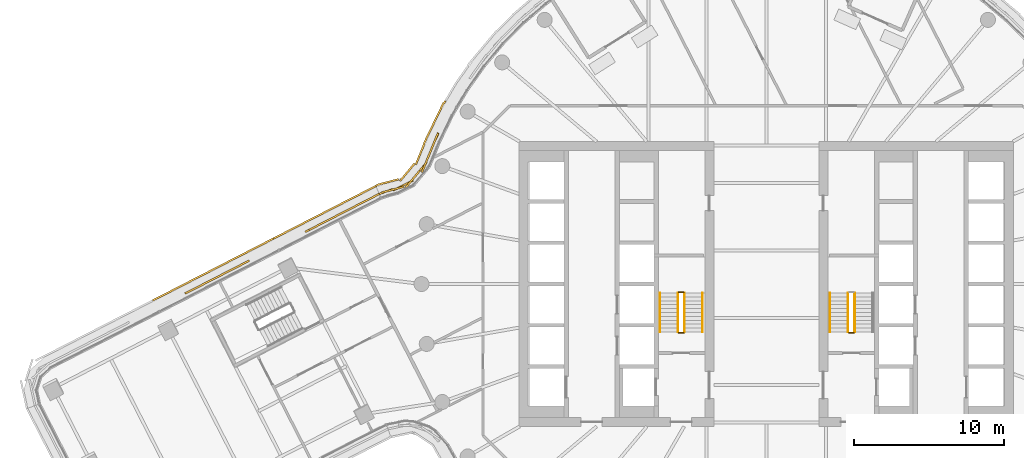
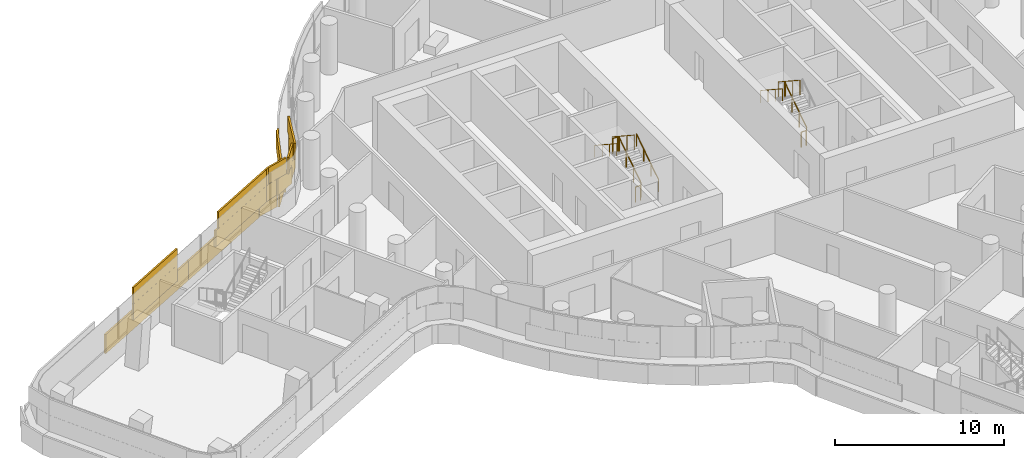
# One storey, part 31 of 37: 10 railings, 3 coverings.
"""IFC4 building model written with IfcOpenShell, lengths in metres."""

from ifc_helpers import new_model, si_unit, direction, frame, origin, origin_2d, place, context, subcontext, project, spatial, rectangle, circle, extrude, material, layer, layer_set, type_object, element, save


model = new_model("IFC4")

# Units and contexts
model_context = context("Model", 3, precision=1e-05, world=origin(), true_north=direction((0.0, 1.0)))
body_context = subcontext(model_context, "Body", "Model", "MODEL_VIEW")
ifc_project = project(units=[si_unit("LENGTHUNIT", "METRE"), si_unit("AREAUNIT", "SQUARE_METRE"), si_unit("VOLUMEUNIT", "CUBIC_METRE"), si_unit("PLANEANGLEUNIT", "RADIAN"), si_unit("MASSUNIT", "GRAM", prefix="KILO")], contexts=[model_context])

# Site, building, storey
site_placement = place(None, origin())
site = spatial("IfcSite", under=ifc_project, at=site_placement, CompositionType="ELEMENT")
building_placement = place(site_placement, origin())
building = spatial("IfcBuilding", under=site, at=building_placement, Name="Tamarind Cross Interchange Tower", CompositionType="ELEMENT")
storey_placement = place(building_placement, frame((0.0, 0.0, 133.0)))
storey = spatial("IfcBuildingStorey", under=building, at=storey_placement, Name="L32", CompositionType="ELEMENT", Elevation=133.0)

# Railings
ifc_material_1 = material(Name="Stair guard")
railing_type_1 = type_object("IfcRailingType", Name="Stair guard", PredefinedType="GUARDRAIL", material=ifc_material_1)
railing_1_placement = place(storey_placement, frame((-5.449951171875, -3.199951171875, 0.17041015625)))
element("IfcRailing", 1, at=railing_1_placement, inside=storey, type_object=railing_type_1, Name="L32 ST1 stair guard 1", PredefinedType="GUARDRAIL", context=body_context, shape_type="SweptSolid", body=[
    extrude(circle(Radius=0.02392578125, at=origin_2d()), frame((0.0, 0.0, 1.076171875), z_axis=(0.0, 0.836278606002, 0.548304744775), x_axis=(-1.0, 0.0, 0.0)), (0.0, 0.0, 1.0), 3.10888671875),
    extrude(circle(Radius=0.02099609375, at=origin_2d()), origin(), (0.0, 0.0, 1.0), 1.052001953125),
    extrude(circle(Radius=0.02099609375, at=origin_2d()), frame((0.0, 0.86669921875, 0.568115234375)), (0.0, 0.0, 1.0), 1.052001953125),
    extrude(circle(Radius=0.02099609375, at=origin_2d()), frame((0.0, 1.733154296875, 1.136474609375)), (0.0, 0.0, 1.0), 1.052001953125),
    extrude(circle(Radius=0.02099609375, at=origin_2d()), frame((0.0, 2.599853515625, 1.70458984375)), (0.0, 0.0, 1.0), 1.052001953125),
])
railing_2_placement = place(storey_placement, frame((-5.5, -0.550048828125, 1.875)))
element("IfcRailing", 2, at=railing_2_placement, inside=storey, type_object=railing_type_1, Name="L32 ST1 stair guard 2", PredefinedType="GUARDRAIL", context=body_context, shape_type="SweptSolid", body=[
    extrude(circle(Radius=0.02392578125, at=origin_2d()), frame((0.0, 0.0, 1.076171875), z_axis=(-1.0, 0.0, 0.0), x_axis=(0.0, -1.0, 0.0)), (0.0, 0.0, 1.0), 0.35009765625),
    extrude(circle(Radius=0.02099609375, at=origin_2d()), origin(), (0.0, 0.0, 1.0), 1.052001953125),
    extrude(circle(Radius=0.02099609375, at=origin_2d()), frame((-0.35009765625, 0.0, 0.0)), (0.0, 0.0, 1.0), 1.052001953125),
])
railing_3_placement = place(storey_placement, frame((-5.89990234375, -0.60009765625, 2.04541015625)))
element("IfcRailing", 3, at=railing_3_placement, inside=storey, type_object=railing_type_1, Name="L32 ST1 stair guard 3", PredefinedType="GUARDRAIL", context=body_context, shape_type="SweptSolid", body=[
    extrude(circle(Radius=0.02392578125, at=origin_2d()), frame((0.0, 0.0, 1.076171875), z_axis=(0.0, -0.836278606002, 0.548304744775), x_axis=(1.0, 0.0, 0.0)), (0.0, 0.0, 1.0), 3.10888671875),
    extrude(circle(Radius=0.02099609375, at=origin_2d()), origin(), (0.0, 0.0, 1.0), 1.052001953125),
    extrude(circle(Radius=0.02099609375, at=origin_2d()), frame((0.0, -0.86669921875, 0.568115234375)), (0.0, 0.0, 1.0), 1.052001953125),
    extrude(circle(Radius=0.02099609375, at=origin_2d()), frame((0.0, -1.733154296875, 1.136474609375)), (0.0, 0.0, 1.0), 1.052001953125),
    extrude(circle(Radius=0.02099609375, at=origin_2d()), frame((0.0, -2.599853515625, 1.70458984375)), (0.0, 0.0, 1.0), 1.052001953125),
])
railing_4_placement = place(storey_placement, frame((-5.5, -3.25, 0.0)))
element("IfcRailing", 4, at=railing_4_placement, inside=storey, type_object=railing_type_1, Name="L32 ST1 stair guard 4", PredefinedType="GUARDRAIL", context=body_context, shape_type="SweptSolid", body=[
    extrude(circle(Radius=0.02392578125, at=origin_2d()), frame((0.0, 0.0, 1.076171875), z_axis=(-1.0, 0.0, 0.0), x_axis=(0.0, -1.0, 0.0)), (0.0, 0.0, 1.0), 0.35009765625),
    extrude(circle(Radius=0.02099609375, at=origin_2d()), origin(), (0.0, 0.0, 1.0), 1.052001953125),
    extrude(circle(Radius=0.02099609375, at=origin_2d()), frame((-0.35009765625, 0.0, 0.0)), (0.0, 0.0, 1.0), 1.052001953125),
])
railing_5_placement = place(storey_placement, frame((5.89990234375, -3.199951171875, 0.17041015625)))
element("IfcRailing", 5, at=railing_5_placement, inside=storey, type_object=railing_type_1, Name="L32 ST2 stair guard 1", PredefinedType="GUARDRAIL", context=body_context, shape_type="SweptSolid", body=[
    extrude(circle(Radius=0.02392578125, at=origin_2d()), frame((0.0, 0.0, 1.076171875), z_axis=(0.0, 0.836278606002, 0.548304744775), x_axis=(-1.0, 0.0, 0.0)), (0.0, 0.0, 1.0), 3.10888671875),
    extrude(circle(Radius=0.02099609375, at=origin_2d()), origin(), (0.0, 0.0, 1.0), 1.052001953125),
    extrude(circle(Radius=0.02099609375, at=origin_2d()), frame((0.0, 0.86669921875, 0.568115234375)), (0.0, 0.0, 1.0), 1.052001953125),
    extrude(circle(Radius=0.02099609375, at=origin_2d()), frame((0.0, 1.733154296875, 1.136474609375)), (0.0, 0.0, 1.0), 1.052001953125),
    extrude(circle(Radius=0.02099609375, at=origin_2d()), frame((0.0, 2.599853515625, 1.70458984375)), (0.0, 0.0, 1.0), 1.052001953125),
])
railing_6_placement = place(storey_placement, frame((5.449951171875, -0.60009765625, 2.04541015625)))
element("IfcRailing", 6, at=railing_6_placement, inside=storey, type_object=railing_type_1, Name="L32 ST2 stair guard 3", PredefinedType="GUARDRAIL", context=body_context, shape_type="SweptSolid", body=[
    extrude(circle(Radius=0.02392578125, at=origin_2d()), frame((0.0, 0.0, 1.076171875), z_axis=(0.0, -0.836278606002, 0.548304744775), x_axis=(1.0, 0.0, 0.0)), (0.0, 0.0, 1.0), 3.10888671875),
    extrude(circle(Radius=0.02099609375, at=origin_2d()), origin(), (0.0, 0.0, 1.0), 1.052001953125),
    extrude(circle(Radius=0.02099609375, at=origin_2d()), frame((0.0, -0.86669921875, 0.568115234375)), (0.0, 0.0, 1.0), 1.052001953125),
    extrude(circle(Radius=0.02099609375, at=origin_2d()), frame((0.0, -1.733154296875, 1.136474609375)), (0.0, 0.0, 1.0), 1.052001953125),
    extrude(circle(Radius=0.02099609375, at=origin_2d()), frame((0.0, -2.599853515625, 1.70458984375)), (0.0, 0.0, 1.0), 1.052001953125),
])
railing_7_placement = place(storey_placement, frame((5.85009765625, -3.25, 0.0)))
element("IfcRailing", 7, at=railing_7_placement, inside=storey, type_object=railing_type_1, Name="L32 ST2 stair guard 4", PredefinedType="GUARDRAIL", context=body_context, shape_type="SweptSolid", body=[
    extrude(circle(Radius=0.02392578125, at=origin_2d()), frame((0.0, 0.0, 1.076171875), z_axis=(-1.0, 0.0, 0.0), x_axis=(0.0, -1.0, 0.0)), (0.0, 0.0, 1.0), 0.35009765625),
    extrude(circle(Radius=0.02099609375, at=origin_2d()), origin(), (0.0, 0.0, 1.0), 1.052001953125),
    extrude(circle(Radius=0.02099609375, at=origin_2d()), frame((-0.35009765625, 0.0, 0.0)), (0.0, 0.0, 1.0), 1.052001953125),
])
ifc_material_2 = material(Name="Stair handrail")
railing_type_2 = type_object("IfcRailingType", Name="Stair handrail", PredefinedType="HANDRAIL", material=ifc_material_2)
railing_8_placement = place(storey_placement, frame((-4.25, -3.199951171875, 0.17041015625)))
element("IfcRailing", 8, at=railing_8_placement, inside=storey, type_object=railing_type_2, Name="L32 ST1 stair handrail 1", PredefinedType="HANDRAIL", context=body_context, shape_type="SweptSolid", body=[
    extrude(circle(Radius=0.02392578125, at=origin_2d()), frame((0.0, 0.0, 0.8759765625), z_axis=(0.0, 0.836278606002, 0.548304744775), x_axis=(-1.0, 0.0, 0.0)), (0.0, 0.0, 1.0), 3.10888671875),
    extrude(circle(Radius=0.02099609375, at=origin_2d()), origin(), (0.0, 0.0, 1.0), 0.851806640625),
    extrude(circle(Radius=0.02099609375, at=origin_2d()), frame((0.0, 0.86669921875, 0.568115234375)), (0.0, 0.0, 1.0), 0.851806640625),
    extrude(circle(Radius=0.02099609375, at=origin_2d()), frame((0.0, 1.733154296875, 1.136474609375)), (0.0, 0.0, 1.0), 0.851806640625),
    extrude(circle(Radius=0.02099609375, at=origin_2d()), frame((0.0, 2.599853515625, 1.70458984375)), (0.0, 0.0, 1.0), 0.851806640625),
])
for number, where, name in (
    (9, (-7.10009765625, -0.60009765625, 2.04541015625), "L32 ST1 stair handrail 2"),
    (10, (4.25, -0.60009765625, 2.04541015625), "L32 ST2 stair handrail 2"),
):
    element("IfcRailing", number, at=place(storey_placement, frame(where)), inside=storey, type_object=railing_type_2, Name=name, PredefinedType="HANDRAIL", context=body_context, shape_type="SweptSolid", body=[
        extrude(circle(Radius=0.02392578125, at=origin_2d()), frame((0.0, 0.0, 0.8759765625), z_axis=(0.0, -0.836278606002, 0.548304744775), x_axis=(1.0, 0.0, 0.0)), (0.0, 0.0, 1.0), 3.10888671875),
        extrude(circle(Radius=0.02099609375, at=origin_2d()), origin(), (0.0, 0.0, 1.0), 0.851806640625),
        extrude(circle(Radius=0.02099609375, at=origin_2d()), frame((0.0, -0.86669921875, 0.568115234375)), (0.0, 0.0, 1.0), 0.851806640625),
        extrude(circle(Radius=0.02099609375, at=origin_2d()), frame((0.0, -1.733154296875, 1.136474609375)), (0.0, 0.0, 1.0), 0.851806640625),
        extrude(circle(Radius=0.02099609375, at=origin_2d()), frame((0.0, -2.599853515625, 1.70458984375)), (0.0, 0.0, 1.0), 0.851806640625),
    ])

# Coverings
ifc_material_3 = material(Name="Terracotta", Category="masonry")
ifc_layer = layer(ifc_material_3, 0.1201171875)
ifc_layer_set = layer_set([ifc_layer], Name="Terracotta")
covering_type = type_object("IfcCoveringType", Name="Terracotta baguette screen unit", PredefinedType="MOLDING", material=ifc_layer_set)
covering_1_placement = place(storey_placement, origin())
element("IfcCovering", 11, at=covering_1_placement, inside=storey, type_object=covering_type, Name="SCR-L32-14-01", PredefinedType="MOLDING", context=body_context, shape_type="SweptSolid", body=[
    extrude(rectangle(XDim=0.59130859375, YDim=0.1201171875, at=origin_2d()), frame((-21.991943359375, 9.80126953125, 1.404052734375), z_axis=(0.0, 0.0, 1.0), x_axis=(-0.435326231914, -0.900272776334, 0.0)), (0.0, 0.0, 1.0), 1.1669921875),
    extrude(rectangle(XDim=1.52001953125, YDim=0.1201171875, at=origin_2d()), frame((-22.40087890625, 8.844482421875, 1.404052734375), z_axis=(0.0, 0.0, 1.0), x_axis=(-0.379836977409, -0.92505344202, 0.0)), (0.0, 0.0, 1.0), 1.1669921875),
    extrude(rectangle(XDim=1.52001953125, YDim=0.1201171875, at=origin_2d()), frame((-23.12451171875, 7.5498046875, 1.404052734375), z_axis=(0.0, 0.0, 1.0), x_axis=(-0.639426054821, -0.768852599928, 0.0)), (0.0, 0.0, 1.0), 1.1669921875),
    extrude(rectangle(XDim=1.52001953125, YDim=0.1201171875, at=origin_2d()), frame((-24.228271484375, 6.579833984375, 1.404052734375), z_axis=(0.0, 0.0, 1.0), x_axis=(-0.896527777949, -0.442987520553, 0.0)), (0.0, 0.0, 1.0), 1.1669921875),
    extrude(rectangle(XDim=0.953857421875, YDim=0.1201171875, at=origin_2d()), frame((-25.373046875, 6.1689453125, 1.404052734375), z_axis=(0.0, 0.0, 1.0), x_axis=(-0.941677463588, -0.336516796863, 0.0)), (0.0, 0.0, 1.0), 1.1669921875),
    extrude(rectangle(XDim=1.34130859375, YDim=0.1201171875, at=origin_2d()), frame((-22.14794921875, 9.46044921875, 2.5791015625), z_axis=(0.0, 0.0, 1.0), x_axis=(-0.379836977409, -0.92505344202, 0.0)), (0.0, 0.0, 1.0), 1.1669921875),
    extrude(rectangle(XDim=1.52001953125, YDim=0.1201171875, at=origin_2d()), frame((-22.685546875, 8.15087890625, 2.5791015625), z_axis=(0.0, 0.0, 1.0), x_axis=(-0.379836977409, -0.92505344202, 0.0)), (0.0, 0.0, 1.0), 1.1669921875),
    extrude(rectangle(XDim=1.52001953125, YDim=0.1201171875, at=origin_2d()), frame((-23.604248046875, 6.97314453125, 2.5791015625), z_axis=(0.0, 0.0, 1.0), x_axis=(-0.639426054821, -0.768852599928, 0.0)), (0.0, 0.0, 1.0), 1.1669921875),
    extrude(rectangle(XDim=1.52001953125, YDim=0.1201171875, at=origin_2d()), frame((-24.918212890625, 6.294189453125, 2.5791015625), z_axis=(0.0, 0.0, 1.0), x_axis=(-0.966981017495, -0.254848409458, 0.0)), (0.0, 0.0, 1.0), 1.1669921875),
    extrude(rectangle(XDim=0.203857421875, YDim=0.1201171875, at=origin_2d()), frame((-25.72607421875, 6.042724609375, 2.5791015625), z_axis=(0.0, 0.0, 1.0), x_axis=(-0.941677463588, -0.336516796863, 0.0)), (0.0, 0.0, 1.0), 1.1669921875),
    extrude(rectangle(XDim=0.188720703125, YDim=0.1201171875, at=origin_2d()), frame((-21.45068359375, 12.131591796875, 0.00390625), z_axis=(0.0, 0.0, 1.0), x_axis=(-0.508183308752, -0.861248933065, 0.0)), (0.0, 0.0, 1.0), 1.39208984375),
    extrude(rectangle(XDim=1.52001953125, YDim=0.1201171875, at=origin_2d()), frame((-21.855224609375, 11.40234375, 0.00390625), z_axis=(0.0, 0.0, 1.0), x_axis=(-0.435326231914, -0.900272776334, 0.0)), (0.0, 0.0, 1.0), 1.39208984375),
    extrude(rectangle(XDim=1.52001953125, YDim=0.1201171875, at=origin_2d()), frame((-22.50830078125, 10.052001953125, 0.00390625), z_axis=(0.0, 0.0, 1.0), x_axis=(-0.435326231914, -0.900272776334, 0.0)), (0.0, 0.0, 1.0), 1.39208984375),
    extrude(rectangle(XDim=1.52001953125, YDim=0.1201171875, at=origin_2d()), frame((-23.092529296875, 8.6708984375, 0.00390625), z_axis=(0.0, 0.0, 1.0), x_axis=(-0.379836977409, -0.92505344202, 0.0)), (0.0, 0.0, 1.0), 1.39208984375),
    extrude(rectangle(XDim=1.52001953125, YDim=0.1201171875, at=origin_2d()), frame((-23.94921875, 7.4560546875, 0.00390625), z_axis=(0.0, 0.0, 1.0), x_axis=(-0.639426054821, -0.768852599928, 0.0)), (0.0, 0.0, 1.0), 1.39208984375),
    extrude(rectangle(XDim=1.52001953125, YDim=0.1201171875, at=origin_2d()), frame((-25.266357421875, 6.7958984375, 0.00390625), z_axis=(0.0, 0.0, 1.0), x_axis=(-0.966981017495, -0.254848409458, 0.0)), (0.0, 0.0, 1.0), 1.39208984375),
    extrude(rectangle(XDim=0.081787109375, YDim=0.1201171875, at=origin_2d()), frame((-26.007568359375, 6.5517578125, 0.00390625), z_axis=(0.0, 0.0, 1.0), x_axis=(-0.941677463588, -0.336516796863, 0.0)), (0.0, 0.0, 1.0), 1.39208984375),
])
covering_2_placement = place(storey_placement, origin())
element("IfcCovering", 12, at=covering_2_placement, inside=storey, type_object=covering_type, Name="SCR-L32-15-00", PredefinedType="MOLDING", context=body_context, shape_type="SweptSolid", body=[
    extrude(rectangle(XDim=1.510009765625, YDim=0.1201171875, at=origin_2d()), frame((-26.484619140625, 5.667724609375, 1.404052734375), z_axis=(0.0, 0.0, 1.0), x_axis=(-0.889697026233, -0.456551422638, 0.0)), (0.0, 0.0, 1.0), 1.1669921875),
    extrude(rectangle(XDim=1.52001953125, YDim=0.1201171875, at=origin_2d()), frame((-27.819091796875, 4.98291015625, 1.404052734375), z_axis=(0.0, 0.0, 1.0), x_axis=(-0.889697026233, -0.456551422638, 0.0)), (0.0, 0.0, 1.0), 1.1669921875),
    extrude(rectangle(XDim=1.52001953125, YDim=0.1201171875, at=origin_2d()), frame((-29.15380859375, 4.298095703125, 1.404052734375), z_axis=(0.0, 0.0, 1.0), x_axis=(-0.889697026233, -0.456551422638, 0.0)), (0.0, 0.0, 1.0), 1.1669921875),
    extrude(rectangle(XDim=1.05712890625, YDim=0.1201171875, at=origin_2d()), frame((-30.286865234375, 3.716552734375, 1.404052734375), z_axis=(0.0, 0.0, 1.0), x_axis=(-0.889697026233, -0.456551422638, 0.0)), (0.0, 0.0, 1.0), 1.1669921875),
    extrude(rectangle(XDim=0.760009765625, YDim=0.1201171875, at=origin_2d()), frame((-26.15087890625, 5.8388671875, 2.5791015625), z_axis=(0.0, 0.0, 1.0), x_axis=(-0.889697026233, -0.456551422638, 0.0)), (0.0, 0.0, 1.0), 1.1669921875),
    extrude(rectangle(XDim=1.52001953125, YDim=0.1201171875, at=origin_2d()), frame((-27.15185546875, 5.3251953125, 2.5791015625), z_axis=(0.0, 0.0, 1.0), x_axis=(-0.889697026233, -0.456551422638, 0.0)), (0.0, 0.0, 1.0), 1.1669921875),
    extrude(rectangle(XDim=1.52001953125, YDim=0.1201171875, at=origin_2d()), frame((-28.486328125, 4.640380859375, 2.5791015625), z_axis=(0.0, 0.0, 1.0), x_axis=(-0.889697026233, -0.456551422638, 0.0)), (0.0, 0.0, 1.0), 1.1669921875),
    extrude(rectangle(XDim=1.52001953125, YDim=0.1201171875, at=origin_2d()), frame((-29.821044921875, 3.95556640625, 2.5791015625), z_axis=(0.0, 0.0, 1.0), x_axis=(-0.889697026233, -0.456551422638, 0.0)), (0.0, 0.0, 1.0), 1.1669921875),
    extrude(rectangle(XDim=1.510009765625, YDim=0.1201171875, at=origin_2d()), frame((-26.7177734375, 6.193359375, 0.00390625), z_axis=(0.0, 0.0, 1.0), x_axis=(-0.889697026233, -0.456551422638, 0.0)), (0.0, 0.0, 1.0), 1.39208984375),
    extrude(rectangle(XDim=1.52001953125, YDim=0.1201171875, at=origin_2d()), frame((-28.0478515625, 5.5107421875, 0.00390625), z_axis=(0.0, 0.0, 1.0), x_axis=(-0.889697026233, -0.456551422638, 0.0)), (0.0, 0.0, 1.0), 1.39208984375),
    extrude(rectangle(XDim=1.52001953125, YDim=0.1201171875, at=origin_2d()), frame((-29.38232421875, 4.825927734375, 0.00390625), z_axis=(0.0, 0.0, 1.0), x_axis=(-0.889697026233, -0.456551422638, 0.0)), (0.0, 0.0, 1.0), 1.39208984375),
    extrude(rectangle(XDim=1.52001953125, YDim=0.1201171875, at=origin_2d()), frame((-30.716796875, 4.14111328125, 0.00390625), z_axis=(0.0, 0.0, 1.0), x_axis=(-0.889697026233, -0.456551422638, 0.0)), (0.0, 0.0, 1.0), 1.39208984375),
    extrude(rectangle(XDim=1.52001953125, YDim=0.1201171875, at=origin_2d()), frame((-32.051513671875, 3.456298828125, 0.00390625), z_axis=(0.0, 0.0, 1.0), x_axis=(-0.889697026233, -0.456551422638, 0.0)), (0.0, 0.0, 1.0), 1.39208984375),
    extrude(rectangle(XDim=0.192138671875, YDim=0.1201171875, at=origin_2d()), frame((-32.795166015625, 3.074462890625, 0.00390625), z_axis=(0.0, 0.0, 1.0), x_axis=(-0.889697026233, -0.456551422638, 0.0)), (0.0, 0.0, 1.0), 1.39208984375),
])
covering_3_placement = place(storey_placement, origin())
element("IfcCovering", 13, at=covering_3_placement, inside=storey, type_object=covering_type, Name="SCR-L32-15-01", PredefinedType="MOLDING", context=body_context, shape_type="SweptSolid", body=[
    extrude(rectangle(XDim=0.762939453125, YDim=0.1201171875, at=origin_2d()), frame((-34.82421875, 1.38818359375, 1.404052734375), z_axis=(0.0, 0.0, 1.0), x_axis=(-0.889697026233, -0.456551422638, 0.0)), (0.0, 0.0, 1.0), 1.1669921875),
    extrude(rectangle(XDim=1.52001953125, YDim=0.1201171875, at=origin_2d()), frame((-35.826416015625, 0.8740234375, 1.404052734375), z_axis=(0.0, 0.0, 1.0), x_axis=(-0.889697026233, -0.456551422638, 0.0)), (0.0, 0.0, 1.0), 1.1669921875),
    extrude(rectangle(XDim=1.52001953125, YDim=0.1201171875, at=origin_2d()), frame((-37.160888671875, 0.18896484375, 1.404052734375), z_axis=(0.0, 0.0, 1.0), x_axis=(-0.889697026233, -0.456551422638, 0.0)), (0.0, 0.0, 1.0), 1.1669921875),
    extrude(rectangle(XDim=1.063720703125, YDim=0.1201171875, at=origin_2d()), frame((-38.296875, -0.393798828125, 1.404052734375), z_axis=(0.0, 0.0, 1.0), x_axis=(-0.889697026233, -0.456551422638, 0.0)), (0.0, 0.0, 1.0), 1.1669921875),
    extrude(rectangle(XDim=1.52001953125, YDim=0.1201171875, at=origin_2d()), frame((-35.1591796875, 1.21630859375, 2.5791015625), z_axis=(0.0, 0.0, 1.0), x_axis=(-0.889697026233, -0.456551422638, 0.0)), (0.0, 0.0, 1.0), 1.1669921875),
    extrude(rectangle(XDim=1.52001953125, YDim=0.1201171875, at=origin_2d()), frame((-36.49365234375, 0.531494140625, 2.5791015625), z_axis=(0.0, 0.0, 1.0), x_axis=(-0.889697026233, -0.456551422638, 0.0)), (0.0, 0.0, 1.0), 1.1669921875),
    extrude(rectangle(XDim=1.52001953125, YDim=0.1201171875, at=origin_2d()), frame((-37.828369140625, -0.1533203125, 2.5791015625), z_axis=(0.0, 0.0, 1.0), x_axis=(-0.889697026233, -0.456551422638, 0.0)), (0.0, 0.0, 1.0), 1.1669921875),
    extrude(rectangle(XDim=0.313720703125, YDim=0.1201171875, at=origin_2d()), frame((-38.630615234375, -0.56494140625, 2.5791015625), z_axis=(0.0, 0.0, 1.0), x_axis=(-0.889697026233, -0.456551422638, 0.0)), (0.0, 0.0, 1.0), 1.1669921875),
    extrude(rectangle(XDim=1.327880859375, YDim=0.1201171875, at=origin_2d()), frame((-33.471435546875, 2.7275390625, 0.00390625), z_axis=(0.0, 0.0, 1.0), x_axis=(-0.889697026233, -0.456551422638, 0.0)), (0.0, 0.0, 1.0), 1.39208984375),
    extrude(rectangle(XDim=1.52001953125, YDim=0.1201171875, at=origin_2d()), frame((-34.720458984375, 2.086669921875, 0.00390625), z_axis=(0.0, 0.0, 1.0), x_axis=(-0.889697026233, -0.456551422638, 0.0)), (0.0, 0.0, 1.0), 1.39208984375),
    extrude(rectangle(XDim=1.52001953125, YDim=0.1201171875, at=origin_2d()), frame((-36.054931640625, 1.40185546875, 0.00390625), z_axis=(0.0, 0.0, 1.0), x_axis=(-0.889697026233, -0.456551422638, 0.0)), (0.0, 0.0, 1.0), 1.39208984375),
    extrude(rectangle(XDim=1.52001953125, YDim=0.1201171875, at=origin_2d()), frame((-37.3896484375, 0.717041015625, 0.00390625), z_axis=(0.0, 0.0, 1.0), x_axis=(-0.889697026233, -0.456551422638, 0.0)), (0.0, 0.0, 1.0), 1.39208984375),
    extrude(rectangle(XDim=1.52001953125, YDim=0.1201171875, at=origin_2d()), frame((-38.72412109375, 0.0322265625, 0.00390625), z_axis=(0.0, 0.0, 1.0), x_axis=(-0.889697026233, -0.456551422638, 0.0)), (0.0, 0.0, 1.0), 1.39208984375),
    extrude(rectangle(XDim=1.52001953125, YDim=0.1201171875, at=origin_2d()), frame((-40.05859375, -0.652587890625, 0.00390625), z_axis=(0.0, 0.0, 1.0), x_axis=(-0.889697026233, -0.456551422638, 0.0)), (0.0, 0.0, 1.0), 1.39208984375),
    extrude(rectangle(XDim=0.23974609375, YDim=0.1201171875, at=origin_2d()), frame((-40.82373046875, -1.045166015625, 0.00390625), z_axis=(0.0, 0.0, 1.0), x_axis=(-0.889697026233, -0.456551422638, 0.0)), (0.0, 0.0, 1.0), 1.39208984375),
])

save(model, "model.ifc")
